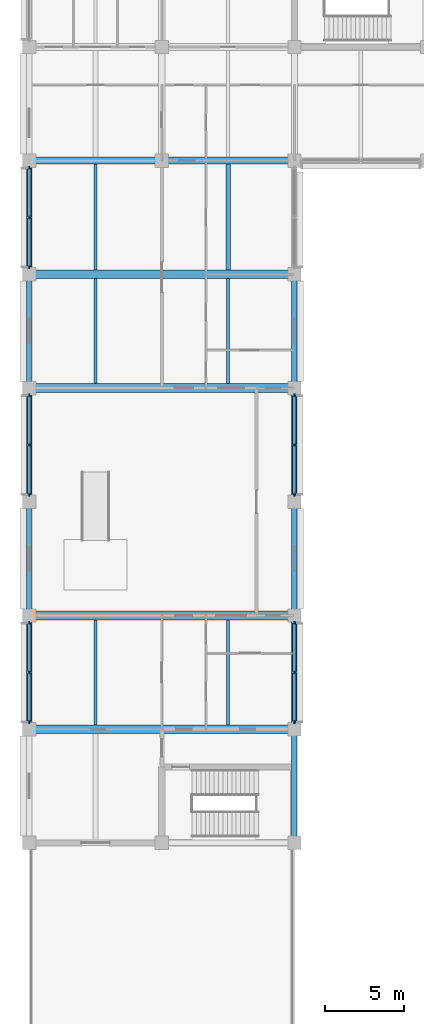
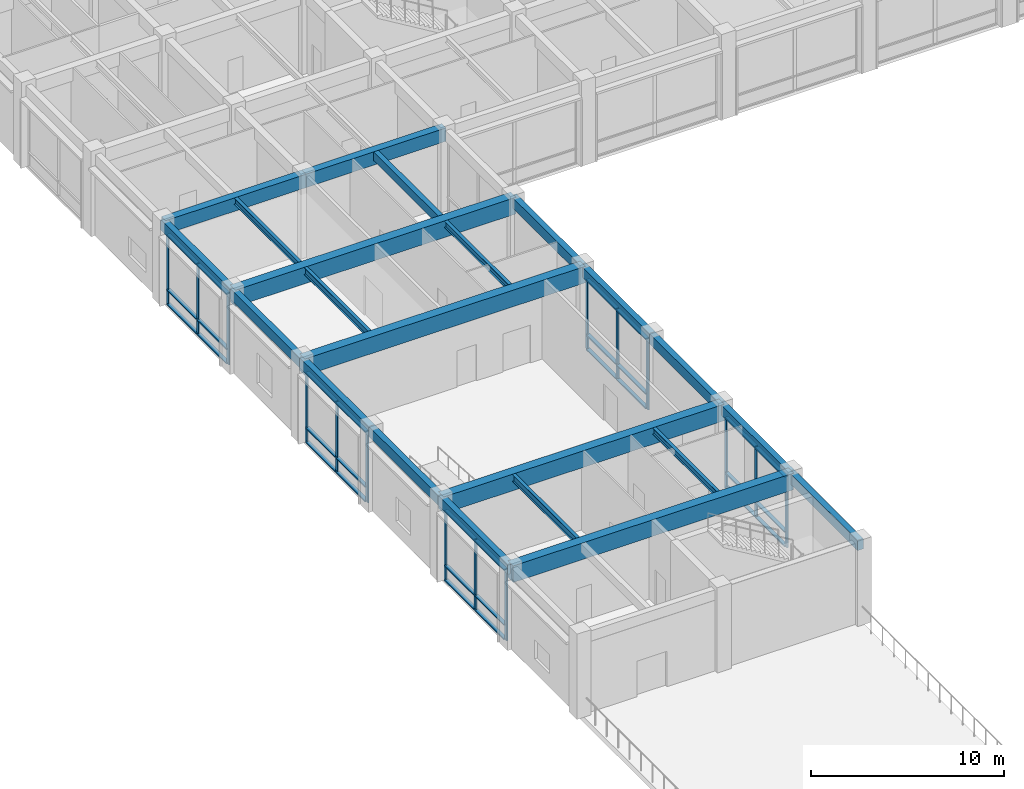
# One storey, part 2 of 51: 45 members, 22 beams, 5 elements without a shape of their own.
"""IFC4 building model written with IfcOpenShell, lengths in metres."""

from ifc_helpers import new_model, si_unit, direction, frame, origin, origin_2d, place, context, subcontext, project, spatial, rectangle, i_section, extrude, material, layer, layer_set, material_profile, profile_set, type_object, element, aggregate, save


model = new_model("IFC4")

# Units and contexts
model_context = context("Model", 3, precision=1e-05, world=origin(), true_north=direction((0.0, 1.0)))
body_context = subcontext(model_context, "Body", "Model", "MODEL_VIEW")
ifc_project = project(units=[si_unit("LENGTHUNIT", "METRE"), si_unit("AREAUNIT", "SQUARE_METRE"), si_unit("VOLUMEUNIT", "CUBIC_METRE"), si_unit("PLANEANGLEUNIT", "RADIAN"), si_unit("MASSUNIT", "GRAM", prefix="KILO")], contexts=[model_context])

# Site, building, storey
site_placement = place(None, origin())
site = spatial("IfcSite", under=ifc_project, at=site_placement, CompositionType="ELEMENT")
building_placement = place(site_placement, origin())
building = spatial("IfcBuilding", under=site, at=building_placement, Name="Chengyuan Square Courthouse", CompositionType="ELEMENT")
storey_placement = place(building_placement, frame((0.0, 0.0, 10.800048828125)))
storey = spatial("IfcBuildingStorey", under=building, at=storey_placement, Name="L03", CompositionType="ELEMENT", Elevation=10.800048828125)

# Beams
ifc_material_1 = material(Name="Concrete C40", Category="concrete")
ifc_material_profile_1 = material_profile(ifc_material_1, rectangle(XDim=0.449951171875, YDim=0.85009765625, at=origin_2d()), Name="RC-BM-450x850")
ifc_profile_set_1 = profile_set([ifc_material_profile_1], Name="Concrete C40")
beam_type_1 = type_object("IfcBeamType", Name="BM-01", PredefinedType="USERDEFINED", material=ifc_profile_set_1)
beam_1_placement = place(storey_placement, frame((0.0, 79.199951171875, 4.695068359375), z_axis=(1.0, 0.0, 0.0), x_axis=(0.0, 1.0, 0.0)))
element("IfcBeam", 1, at=beam_1_placement, inside=storey, type_object=beam_type_1, Name="Girder BM-L03-2524", ObjectType="GIRDER", PredefinedType="USERDEFINED", context=body_context, shape_type="SweptSolid", body=[
    extrude(rectangle(XDim=0.449951171875, YDim=0.85009765625, at=origin_2d()), origin(), (0.0, 0.0, 1.0), 8.39990234375),
])
beam_2_placement = place(storey_placement, frame((8.39990234375, 79.199951171875, 4.695068359375), z_axis=(1.0, 0.0, 0.0), x_axis=(0.0, 1.0, 0.0)))
element("IfcBeam", 2, at=beam_2_placement, inside=storey, type_object=beam_type_1, Name="Girder BM-L03-2525", ObjectType="GIRDER", PredefinedType="USERDEFINED", context=body_context, shape_type="SweptSolid", body=[
    extrude(rectangle(XDim=0.449951171875, YDim=0.85009765625, at=origin_2d()), origin(), (0.0, 0.0, 1.0), 8.400146484375),
])
ifc_material_profile_2 = material_profile(ifc_material_1, rectangle(XDim=0.35009765625, YDim=0.64990234375, at=origin_2d()), Name="RC-BM-350x650")
ifc_profile_set_2 = profile_set([ifc_material_profile_2], Name="Concrete C40")
beam_type_2 = type_object("IfcBeamType", Name="BM-03", PredefinedType="SPANDREL", material=ifc_profile_set_2)
beam_3_placement = place(storey_placement, frame((0.0, 43.199951171875, 4.794921875), z_axis=(0.0, 1.0, 0.0), x_axis=(-1.0, 0.0, 0.0)))
element("IfcBeam", 3, at=beam_3_placement, inside=storey, type_object=beam_type_2, Name="Girder BM-L03-2633", PredefinedType="SPANDREL", context=body_context, shape_type="SweptSolid", body=[
    extrude(rectangle(XDim=0.35009765625, YDim=0.64990234375, at=origin_2d()), origin(), (0.0, 0.0, 1.0), 7.199951171875),
])
beam_4_placement = place(storey_placement, frame((0.0, 50.39990234375, 4.794921875), z_axis=(0.0, 1.0, 0.0), x_axis=(-1.0, 0.0, 0.0)))
element("IfcBeam", 4, at=beam_4_placement, inside=storey, type_object=beam_type_2, Name="Girder BM-L03-2634", PredefinedType="SPANDREL", context=body_context, shape_type="SweptSolid", body=[
    extrude(rectangle(XDim=0.35009765625, YDim=0.64990234375, at=origin_2d()), origin(), (0.0, 0.0, 1.0), 7.2001953125),
])
for number, where, z_axis, x_axis, name in (
    (5, (0.0, 57.60009765625, 4.794921875), (0.0, 1.0, 0.0), (-1.0, 0.0, 0.0), "Girder BM-L03-2635"),
    (6, (0.0, 64.800048828125, 4.794921875), (0.0, 1.0, 0.0), (-1.0, 0.0, 0.0), "Girder BM-L03-2636"),
    (7, (0.0, 72.0, 4.794921875), (0.0, 1.0, 0.0), (-1.0, 0.0, 0.0), "Girder BM-L03-2637"),
    (8, (16.800048828125, 36.0, 4.794921875), (0.0, 1.0, 0.0), (-1.0, 0.0, 0.0), "Girder BM-L03-2646"),
    (9, (16.800048828125, 43.199951171875, 4.794921875), (0.0, 1.0, 0.0), (-1.0, 0.0, 0.0), "Girder BM-L03-2647"),
):
    element("IfcBeam", number, at=place(storey_placement, frame(where, z_axis=z_axis, x_axis=x_axis)), inside=storey, type_object=beam_type_2, Name=name, PredefinedType="SPANDREL", context=body_context, shape_type="SweptSolid", body=[
        extrude(rectangle(XDim=0.35009765625, YDim=0.64990234375, at=origin_2d()), origin(), (0.0, 0.0, 1.0), 7.199951171875),
    ])
beam_5_placement = place(storey_placement, frame((16.800048828125, 50.39990234375, 4.794921875), z_axis=(0.0, 1.0, 0.0), x_axis=(-1.0, 0.0, 0.0)))
element("IfcBeam", 10, at=beam_5_placement, inside=storey, type_object=beam_type_2, Name="Girder BM-L03-2648", PredefinedType="SPANDREL", context=body_context, shape_type="SweptSolid", body=[
    extrude(rectangle(XDim=0.35009765625, YDim=0.64990234375, at=origin_2d()), origin(), (0.0, 0.0, 1.0), 7.2001953125),
])
for number, where, z_axis, x_axis, name in (
    (11, (16.800048828125, 57.60009765625, 4.794921875), (0.0, 1.0, 0.0), (-1.0, 0.0, 0.0), "Girder BM-L03-2649"),
    (12, (16.800048828125, 64.800048828125, 4.794921875), (0.0, 1.0, 0.0), (-1.0, 0.0, 0.0), "Girder BM-L03-2650"),
):
    element("IfcBeam", number, at=place(storey_placement, frame(where, z_axis=z_axis, x_axis=x_axis)), inside=storey, type_object=beam_type_2, Name=name, PredefinedType="SPANDREL", context=body_context, shape_type="SweptSolid", body=[
        extrude(rectangle(XDim=0.35009765625, YDim=0.64990234375, at=origin_2d()), origin(), (0.0, 0.0, 1.0), 7.199951171875),
    ])
ifc_material_profile_3 = material_profile(ifc_material_1, rectangle(XDim=0.300048828125, YDim=0.550048828125, at=origin_2d()), Name="RC-BM-300x550")
ifc_profile_set_3 = profile_set([ifc_material_profile_3], Name="Concrete C40")
beam_type_3 = type_object("IfcBeamType", Name="BM-04", PredefinedType="BEAM", material=ifc_profile_set_3)
beam_6_placement = place(storey_placement, frame((12.60009765625, 72.27490234375, 4.844970703125), z_axis=(0.0, 1.0, 0.0), x_axis=(-1.0, 0.0, 0.0)))
element("IfcBeam", 13, at=beam_6_placement, inside=storey, type_object=beam_type_3, Name="Secondary Floor Beam SBM-L03-2763", PredefinedType="BEAM", context=body_context, shape_type="SweptSolid", body=[
    extrude(rectangle(XDim=0.300048828125, YDim=0.550048828125, at=origin_2d()), origin(), (0.0, 0.0, 1.0), 6.7001953125),
])
ifc_material_2 = material(Name="Steel Q355B", Category="steel")
ifc_material_profile_4 = material_profile(ifc_material_2, i_section(OverallWidth=0.199951171875, OverallDepth=0.449951171875, WebThickness=0.009033203125, FlangeThickness=0.013916015625, at=origin_2d()), Name="HN 450x200x9x14")
ifc_profile_set_4 = profile_set([ifc_material_profile_4], Name="Steel Q355B")
beam_type_4 = type_object("IfcBeamType", Name="BM-06", PredefinedType="BEAM", material=ifc_profile_set_4)
beam_7_placement = place(storey_placement, frame((4.199951171875, 43.47509765625, 4.89501953125), z_axis=(0.0, 1.0, 0.0), x_axis=(-1.0, 0.0, 0.0)))
element("IfcBeam", 14, at=beam_7_placement, inside=storey, type_object=beam_type_4, Name="Secondary Floor Beam SBM-L03-2754", PredefinedType="BEAM", context=body_context, shape_type="SweptSolid", body=[
    extrude(i_section(OverallWidth=0.199951171875, OverallDepth=0.449951171875, WebThickness=0.009033203125, FlangeThickness=0.013916015625, at=origin_2d()), origin(), (0.0, 0.0, 1.0), 6.64990234375),
])
beam_8_placement = place(storey_placement, frame((4.199951171875, 65.074951171875, 4.89501953125), z_axis=(0.0, 1.0, 0.0), x_axis=(-1.0, 0.0, 0.0)))
element("IfcBeam", 15, at=beam_8_placement, inside=storey, type_object=beam_type_4, Name="Secondary Floor Beam SBM-L03-2755", PredefinedType="BEAM", context=body_context, shape_type="SweptSolid", body=[
    extrude(i_section(OverallWidth=0.199951171875, OverallDepth=0.449951171875, WebThickness=0.009033203125, FlangeThickness=0.013916015625, at=origin_2d()), origin(), (0.0, 0.0, 1.0), 6.650146484375),
])
ifc_material_profile_5 = material_profile(ifc_material_2, i_section(OverallWidth=0.199951171875, OverallDepth=0.39990234375, WebThickness=0.008056640625, FlangeThickness=0.012939453125, at=origin_2d()), Name="HN 400x200x8x13")
ifc_profile_set_5 = profile_set([ifc_material_profile_5], Name="Steel Q355B")
beam_type_5 = type_object("IfcBeamType", Name="BM-07", PredefinedType="BEAM", material=ifc_profile_set_5)
beam_9_placement = place(storey_placement, frame((4.199951171875, 72.27490234375, 4.919921875), z_axis=(0.0, 1.0, 0.0), x_axis=(-1.0, 0.0, 0.0)))
element("IfcBeam", 16, at=beam_9_placement, inside=storey, type_object=beam_type_5, Name="Secondary Floor Beam SBM-L03-2756", PredefinedType="BEAM", context=body_context, shape_type="SweptSolid", body=[
    extrude(i_section(OverallWidth=0.199951171875, OverallDepth=0.39990234375, WebThickness=0.008056640625, FlangeThickness=0.012939453125, at=origin_2d()), origin(), (0.0, 0.0, 1.0), 6.7001953125),
])
beam_10_placement = place(storey_placement, frame((12.60009765625, 43.47509765625, 4.919921875), z_axis=(0.0, 1.0, 0.0), x_axis=(-1.0, 0.0, 0.0)))
element("IfcBeam", 17, at=beam_10_placement, inside=storey, type_object=beam_type_5, Name="Secondary Floor Beam SBM-L03-2761", PredefinedType="BEAM", context=body_context, shape_type="SweptSolid", body=[
    extrude(i_section(OverallWidth=0.199951171875, OverallDepth=0.39990234375, WebThickness=0.008056640625, FlangeThickness=0.012939453125, at=origin_2d()), origin(), (0.0, 0.0, 1.0), 6.64990234375),
])
beam_11_placement = place(storey_placement, frame((12.60009765625, 65.074951171875, 4.919921875), z_axis=(0.0, 1.0, 0.0), x_axis=(-1.0, 0.0, 0.0)))
element("IfcBeam", 18, at=beam_11_placement, inside=storey, type_object=beam_type_5, Name="Secondary Floor Beam SBM-L03-2762", PredefinedType="BEAM", context=body_context, shape_type="SweptSolid", body=[
    extrude(i_section(OverallWidth=0.199951171875, OverallDepth=0.39990234375, WebThickness=0.008056640625, FlangeThickness=0.012939453125, at=origin_2d()), origin(), (0.0, 0.0, 1.0), 6.650146484375),
])

# Curtain wall, members
ifc_material_3 = material(Name="Unitised Aluminium and Triple Low-E Glass", Category="aluminium")
ifc_layer = layer(ifc_material_3, 0.219970703125)
ifc_layer_set = layer_set([ifc_layer], Name="Unitised Aluminium and Triple Low-E Glass")
curtain_wall_type = type_object("IfcCurtainWallType", Name="CW-20", PredefinedType="USERDEFINED", material=ifc_layer_set)
curtain_wall_1_placement = place(storey_placement, origin())
curtain_wall_1 = element("IfcCurtainWall", 19, at=curtain_wall_1_placement, inside=storey, type_object=curtain_wall_type, Name="Unitised Curtain Wall CW-L03-089", ObjectType="UNITISED CURTAIN WALL", PredefinedType="USERDEFINED")
ifc_material_4 = material(Name="Aluminium 6063-T6 Frame", Category="aluminium")
ifc_material_profile_6 = material_profile(ifc_material_4, rectangle(XDim=0.080078125, YDim=0.219970703125, at=origin_2d()), Name="CW-MUL-80x220")
ifc_profile_set_6 = profile_set([ifc_material_profile_6], Name="Aluminium 6063-T6 Frame")
member_type_1 = type_object("IfcMemberType", Name="CWM-04", PredefinedType="MULLION", material=ifc_profile_set_6)
member_1_placement = place(storey_placement, frame((0.0, 43.6650390625, 0.0), z_axis=(0.0, 0.0, 1.0), x_axis=(-1.0, 0.0, 0.0)))
member_1 = element("IfcMember", 20, at=member_1_placement, type_object=member_type_1, Name="CW-20 mullion 1", PredefinedType="MULLION", context=body_context, shape_type="SweptSolid", body=[
    extrude(rectangle(XDim=0.080078125, YDim=0.219970703125, at=origin_2d()), origin(), (0.0, 0.0, 1.0), 4.469970703125),
])
member_2_placement = place(storey_placement, frame((0.0, 46.800048828125, 0.0), z_axis=(0.0, 0.0, 1.0), x_axis=(-1.0, 0.0, 0.0)))
member_2 = element("IfcMember", 21, at=member_2_placement, type_object=member_type_1, Name="CW-20 mullion 2", PredefinedType="MULLION", context=body_context, shape_type="SweptSolid", body=[
    extrude(rectangle(XDim=0.080078125, YDim=0.219970703125, at=origin_2d()), origin(), (0.0, 0.0, 1.0), 4.469970703125),
])
member_3_placement = place(storey_placement, frame((0.0, 49.93505859375, 0.0), z_axis=(0.0, 0.0, 1.0), x_axis=(-1.0, 0.0, 0.0)))
member_3 = element("IfcMember", 22, at=member_3_placement, type_object=member_type_1, Name="CW-20 mullion 3", PredefinedType="MULLION", context=body_context, shape_type="SweptSolid", body=[
    extrude(rectangle(XDim=0.080078125, YDim=0.219970703125, at=origin_2d()), origin(), (0.0, 0.0, 1.0), 4.469970703125),
])

curtain_wall_2_placement = place(storey_placement, origin())
curtain_wall_2 = element("IfcCurtainWall", 23, at=curtain_wall_2_placement, inside=storey, type_object=curtain_wall_type, Name="Unitised Curtain Wall CW-L03-090", ObjectType="UNITISED CURTAIN WALL", PredefinedType="USERDEFINED")
member_4_placement = place(storey_placement, frame((0.0, 58.06494140625, 0.0), z_axis=(0.0, 0.0, 1.0), x_axis=(-1.0, 0.0, 0.0)))
member_4 = element("IfcMember", 24, at=member_4_placement, type_object=member_type_1, Name="CW-20 mullion 1", PredefinedType="MULLION", context=body_context, shape_type="SweptSolid", body=[
    extrude(rectangle(XDim=0.080078125, YDim=0.219970703125, at=origin_2d()), origin(), (0.0, 0.0, 1.0), 4.469970703125),
])
member_5_placement = place(storey_placement, frame((0.0, 61.199951171875, 0.0), z_axis=(0.0, 0.0, 1.0), x_axis=(-1.0, 0.0, 0.0)))
member_5 = element("IfcMember", 25, at=member_5_placement, type_object=member_type_1, Name="CW-20 mullion 2", PredefinedType="MULLION", context=body_context, shape_type="SweptSolid", body=[
    extrude(rectangle(XDim=0.080078125, YDim=0.219970703125, at=origin_2d()), origin(), (0.0, 0.0, 1.0), 4.469970703125),
])
member_6_placement = place(storey_placement, frame((0.0, 64.3349609375, 0.0), z_axis=(0.0, 0.0, 1.0), x_axis=(-1.0, 0.0, 0.0)))
member_6 = element("IfcMember", 26, at=member_6_placement, type_object=member_type_1, Name="CW-20 mullion 3", PredefinedType="MULLION", context=body_context, shape_type="SweptSolid", body=[
    extrude(rectangle(XDim=0.080078125, YDim=0.219970703125, at=origin_2d()), origin(), (0.0, 0.0, 1.0), 4.469970703125),
])

curtain_wall_3_placement = place(storey_placement, origin())
curtain_wall_3 = element("IfcCurtainWall", 27, at=curtain_wall_3_placement, inside=storey, type_object=curtain_wall_type, Name="Unitised Curtain Wall CW-L03-091", ObjectType="UNITISED CURTAIN WALL", PredefinedType="USERDEFINED")
member_7_placement = place(storey_placement, frame((0.0, 72.465087890625, 0.0), z_axis=(0.0, 0.0, 1.0), x_axis=(-1.0, 0.0, 0.0)))
member_7 = element("IfcMember", 28, at=member_7_placement, type_object=member_type_1, Name="CW-20 mullion 1", PredefinedType="MULLION", context=body_context, shape_type="SweptSolid", body=[
    extrude(rectangle(XDim=0.080078125, YDim=0.219970703125, at=origin_2d()), origin(), (0.0, 0.0, 1.0), 4.469970703125),
])
member_8_placement = place(storey_placement, frame((0.0, 75.60009765625, 0.0), z_axis=(0.0, 0.0, 1.0), x_axis=(-1.0, 0.0, 0.0)))
member_8 = element("IfcMember", 29, at=member_8_placement, type_object=member_type_1, Name="CW-20 mullion 2", PredefinedType="MULLION", context=body_context, shape_type="SweptSolid", body=[
    extrude(rectangle(XDim=0.080078125, YDim=0.219970703125, at=origin_2d()), origin(), (0.0, 0.0, 1.0), 4.469970703125),
])
member_9_placement = place(storey_placement, frame((0.0, 78.735107421875, 0.0), z_axis=(0.0, 0.0, 1.0), x_axis=(-1.0, 0.0, 0.0)))
member_9 = element("IfcMember", 30, at=member_9_placement, type_object=member_type_1, Name="CW-20 mullion 3", PredefinedType="MULLION", context=body_context, shape_type="SweptSolid", body=[
    extrude(rectangle(XDim=0.080078125, YDim=0.219970703125, at=origin_2d()), origin(), (0.0, 0.0, 1.0), 4.469970703125),
])

curtain_wall_4_placement = place(storey_placement, origin())
curtain_wall_4 = element("IfcCurtainWall", 31, at=curtain_wall_4_placement, inside=storey, type_object=curtain_wall_type, Name="Unitised Curtain Wall CW-L03-094", ObjectType="UNITISED CURTAIN WALL", PredefinedType="USERDEFINED")
member_10_placement = place(storey_placement, frame((16.800048828125, 43.6650390625, 0.0), z_axis=(0.0, 0.0, 1.0), x_axis=(-1.0, 0.0, 0.0)))
member_10 = element("IfcMember", 32, at=member_10_placement, type_object=member_type_1, Name="CW-20 mullion 1", PredefinedType="MULLION", context=body_context, shape_type="SweptSolid", body=[
    extrude(rectangle(XDim=0.080078125, YDim=0.219970703125, at=origin_2d()), origin(), (0.0, 0.0, 1.0), 4.469970703125),
])
member_11_placement = place(storey_placement, frame((16.800048828125, 46.800048828125, 0.0), z_axis=(0.0, 0.0, 1.0), x_axis=(-1.0, 0.0, 0.0)))
member_11 = element("IfcMember", 33, at=member_11_placement, type_object=member_type_1, Name="CW-20 mullion 2", PredefinedType="MULLION", context=body_context, shape_type="SweptSolid", body=[
    extrude(rectangle(XDim=0.080078125, YDim=0.219970703125, at=origin_2d()), origin(), (0.0, 0.0, 1.0), 4.469970703125),
])
member_12_placement = place(storey_placement, frame((16.800048828125, 49.93505859375, 0.0), z_axis=(0.0, 0.0, 1.0), x_axis=(-1.0, 0.0, 0.0)))
member_12 = element("IfcMember", 34, at=member_12_placement, type_object=member_type_1, Name="CW-20 mullion 3", PredefinedType="MULLION", context=body_context, shape_type="SweptSolid", body=[
    extrude(rectangle(XDim=0.080078125, YDim=0.219970703125, at=origin_2d()), origin(), (0.0, 0.0, 1.0), 4.469970703125),
])

curtain_wall_5_placement = place(storey_placement, origin())
curtain_wall_5 = element("IfcCurtainWall", 35, at=curtain_wall_5_placement, inside=storey, type_object=curtain_wall_type, Name="Unitised Curtain Wall CW-L03-095", ObjectType="UNITISED CURTAIN WALL", PredefinedType="USERDEFINED")
member_13_placement = place(storey_placement, frame((16.800048828125, 58.06494140625, 0.0), z_axis=(0.0, 0.0, 1.0), x_axis=(-1.0, 0.0, 0.0)))
member_13 = element("IfcMember", 36, at=member_13_placement, type_object=member_type_1, Name="CW-20 mullion 1", PredefinedType="MULLION", context=body_context, shape_type="SweptSolid", body=[
    extrude(rectangle(XDim=0.080078125, YDim=0.219970703125, at=origin_2d()), origin(), (0.0, 0.0, 1.0), 4.469970703125),
])
member_14_placement = place(storey_placement, frame((16.800048828125, 61.199951171875, 0.0), z_axis=(0.0, 0.0, 1.0), x_axis=(-1.0, 0.0, 0.0)))
member_14 = element("IfcMember", 37, at=member_14_placement, type_object=member_type_1, Name="CW-20 mullion 2", PredefinedType="MULLION", context=body_context, shape_type="SweptSolid", body=[
    extrude(rectangle(XDim=0.080078125, YDim=0.219970703125, at=origin_2d()), origin(), (0.0, 0.0, 1.0), 4.469970703125),
])
member_15_placement = place(storey_placement, frame((16.800048828125, 64.3349609375, 0.0), z_axis=(0.0, 0.0, 1.0), x_axis=(-1.0, 0.0, 0.0)))
member_15 = element("IfcMember", 38, at=member_15_placement, type_object=member_type_1, Name="CW-20 mullion 3", PredefinedType="MULLION", context=body_context, shape_type="SweptSolid", body=[
    extrude(rectangle(XDim=0.080078125, YDim=0.219970703125, at=origin_2d()), origin(), (0.0, 0.0, 1.0), 4.469970703125),
])

# Member
ifc_material_profile_7 = material_profile(ifc_material_4, rectangle(XDim=0.219970703125, YDim=0.080078125, at=origin_2d()), Name="CW-TRN-80x180")
ifc_profile_set_7 = profile_set([ifc_material_profile_7], Name="Aluminium 6063-T6 Frame")
member_type_2 = type_object("IfcMemberType", Name="CWT-04", PredefinedType="USERDEFINED", material=ifc_profile_set_7)
member_16_placement = place(storey_placement, frame((0.0, 43.705078125, 0.0400390625), z_axis=(0.0, 1.0, 0.0), x_axis=(-1.0, 0.0, 0.0)))
member_16 = element("IfcMember", 39, at=member_16_placement, type_object=member_type_2, Name="CW-20 transom 1.1", ObjectType="TRANSOM", PredefinedType="USERDEFINED", context=body_context, shape_type="SweptSolid", body=[
    extrude(rectangle(XDim=0.219970703125, YDim=0.080078125, at=origin_2d()), origin(), (0.0, 0.0, 1.0), 3.054931640625),
])

member_17_placement = place(storey_placement, frame((0.0, 43.705078125, 0.949951171875), z_axis=(0.0, 1.0, 0.0), x_axis=(-1.0, 0.0, 0.0)))
member_17 = element("IfcMember", 40, at=member_17_placement, type_object=member_type_2, Name="CW-20 transom 1.2", ObjectType="TRANSOM", PredefinedType="USERDEFINED", context=body_context, shape_type="SweptSolid", body=[
    extrude(rectangle(XDim=0.219970703125, YDim=0.080078125, at=origin_2d()), origin(), (0.0, 0.0, 1.0), 3.054931640625),
])

member_18_placement = place(storey_placement, frame((0.0, 43.705078125, 4.429931640625), z_axis=(0.0, 1.0, 0.0), x_axis=(-1.0, 0.0, 0.0)))
member_18 = element("IfcMember", 41, at=member_18_placement, type_object=member_type_2, Name="CW-20 transom 1.3", ObjectType="TRANSOM", PredefinedType="USERDEFINED", context=body_context, shape_type="SweptSolid", body=[
    extrude(rectangle(XDim=0.219970703125, YDim=0.080078125, at=origin_2d()), origin(), (0.0, 0.0, 1.0), 3.054931640625),
])

member_19_placement = place(storey_placement, frame((0.0, 46.840087890625, 0.0400390625), z_axis=(0.0, 1.0, 0.0), x_axis=(-1.0, 0.0, 0.0)))
member_19 = element("IfcMember", 42, at=member_19_placement, type_object=member_type_2, Name="CW-20 transom 2.1", ObjectType="TRANSOM", PredefinedType="USERDEFINED", context=body_context, shape_type="SweptSolid", body=[
    extrude(rectangle(XDim=0.219970703125, YDim=0.080078125, at=origin_2d()), origin(), (0.0, 0.0, 1.0), 3.054931640625),
])

member_20_placement = place(storey_placement, frame((0.0, 46.840087890625, 0.949951171875), z_axis=(0.0, 1.0, 0.0), x_axis=(-1.0, 0.0, 0.0)))
member_20 = element("IfcMember", 43, at=member_20_placement, type_object=member_type_2, Name="CW-20 transom 2.2", ObjectType="TRANSOM", PredefinedType="USERDEFINED", context=body_context, shape_type="SweptSolid", body=[
    extrude(rectangle(XDim=0.219970703125, YDim=0.080078125, at=origin_2d()), origin(), (0.0, 0.0, 1.0), 3.054931640625),
])

member_21_placement = place(storey_placement, frame((0.0, 46.840087890625, 4.429931640625), z_axis=(0.0, 1.0, 0.0), x_axis=(-1.0, 0.0, 0.0)))
member_21 = element("IfcMember", 44, at=member_21_placement, type_object=member_type_2, Name="CW-20 transom 2.3", ObjectType="TRANSOM", PredefinedType="USERDEFINED", context=body_context, shape_type="SweptSolid", body=[
    extrude(rectangle(XDim=0.219970703125, YDim=0.080078125, at=origin_2d()), origin(), (0.0, 0.0, 1.0), 3.054931640625),
])

aggregate(curtain_wall_1, [member_1, member_2, member_3, member_16, member_17, member_18, member_19, member_20, member_21])

member_22_placement = place(storey_placement, frame((0.0, 58.10498046875, 0.0400390625), z_axis=(0.0, 1.0, 0.0), x_axis=(-1.0, 0.0, 0.0)))
member_22 = element("IfcMember", 45, at=member_22_placement, type_object=member_type_2, Name="CW-20 transom 1.1", ObjectType="TRANSOM", PredefinedType="USERDEFINED", context=body_context, shape_type="SweptSolid", body=[
    extrude(rectangle(XDim=0.219970703125, YDim=0.080078125, at=origin_2d()), origin(), (0.0, 0.0, 1.0), 3.054931640625),
])

member_23_placement = place(storey_placement, frame((0.0, 58.10498046875, 0.949951171875), z_axis=(0.0, 1.0, 0.0), x_axis=(-1.0, 0.0, 0.0)))
member_23 = element("IfcMember", 46, at=member_23_placement, type_object=member_type_2, Name="CW-20 transom 1.2", ObjectType="TRANSOM", PredefinedType="USERDEFINED", context=body_context, shape_type="SweptSolid", body=[
    extrude(rectangle(XDim=0.219970703125, YDim=0.080078125, at=origin_2d()), origin(), (0.0, 0.0, 1.0), 3.054931640625),
])

member_24_placement = place(storey_placement, frame((0.0, 58.10498046875, 4.429931640625), z_axis=(0.0, 1.0, 0.0), x_axis=(-1.0, 0.0, 0.0)))
member_24 = element("IfcMember", 47, at=member_24_placement, type_object=member_type_2, Name="CW-20 transom 1.3", ObjectType="TRANSOM", PredefinedType="USERDEFINED", context=body_context, shape_type="SweptSolid", body=[
    extrude(rectangle(XDim=0.219970703125, YDim=0.080078125, at=origin_2d()), origin(), (0.0, 0.0, 1.0), 3.054931640625),
])

member_25_placement = place(storey_placement, frame((0.0, 61.239990234375, 0.0400390625), z_axis=(0.0, 1.0, 0.0), x_axis=(-1.0, 0.0, 0.0)))
member_25 = element("IfcMember", 48, at=member_25_placement, type_object=member_type_2, Name="CW-20 transom 2.1", ObjectType="TRANSOM", PredefinedType="USERDEFINED", context=body_context, shape_type="SweptSolid", body=[
    extrude(rectangle(XDim=0.219970703125, YDim=0.080078125, at=origin_2d()), origin(), (0.0, 0.0, 1.0), 3.054931640625),
])

member_26_placement = place(storey_placement, frame((0.0, 61.239990234375, 0.949951171875), z_axis=(0.0, 1.0, 0.0), x_axis=(-1.0, 0.0, 0.0)))
member_26 = element("IfcMember", 49, at=member_26_placement, type_object=member_type_2, Name="CW-20 transom 2.2", ObjectType="TRANSOM", PredefinedType="USERDEFINED", context=body_context, shape_type="SweptSolid", body=[
    extrude(rectangle(XDim=0.219970703125, YDim=0.080078125, at=origin_2d()), origin(), (0.0, 0.0, 1.0), 3.054931640625),
])

member_27_placement = place(storey_placement, frame((0.0, 61.239990234375, 4.429931640625), z_axis=(0.0, 1.0, 0.0), x_axis=(-1.0, 0.0, 0.0)))
member_27 = element("IfcMember", 50, at=member_27_placement, type_object=member_type_2, Name="CW-20 transom 2.3", ObjectType="TRANSOM", PredefinedType="USERDEFINED", context=body_context, shape_type="SweptSolid", body=[
    extrude(rectangle(XDim=0.219970703125, YDim=0.080078125, at=origin_2d()), origin(), (0.0, 0.0, 1.0), 3.054931640625),
])

aggregate(curtain_wall_2, [member_4, member_5, member_6, member_22, member_23, member_24, member_25, member_26, member_27])

member_28_placement = place(storey_placement, frame((0.0, 72.5048828125, 0.0400390625), z_axis=(0.0, 1.0, 0.0), x_axis=(-1.0, 0.0, 0.0)))
member_28 = element("IfcMember", 51, at=member_28_placement, type_object=member_type_2, Name="CW-20 transom 1.1", ObjectType="TRANSOM", PredefinedType="USERDEFINED", context=body_context, shape_type="SweptSolid", body=[
    extrude(rectangle(XDim=0.219970703125, YDim=0.080078125, at=origin_2d()), origin(), (0.0, 0.0, 1.0), 3.05517578125),
])

member_29_placement = place(storey_placement, frame((0.0, 72.5048828125, 0.949951171875), z_axis=(0.0, 1.0, 0.0), x_axis=(-1.0, 0.0, 0.0)))
member_29 = element("IfcMember", 52, at=member_29_placement, type_object=member_type_2, Name="CW-20 transom 1.2", ObjectType="TRANSOM", PredefinedType="USERDEFINED", context=body_context, shape_type="SweptSolid", body=[
    extrude(rectangle(XDim=0.219970703125, YDim=0.080078125, at=origin_2d()), origin(), (0.0, 0.0, 1.0), 3.05517578125),
])

member_30_placement = place(storey_placement, frame((0.0, 72.5048828125, 4.429931640625), z_axis=(0.0, 1.0, 0.0), x_axis=(-1.0, 0.0, 0.0)))
member_30 = element("IfcMember", 53, at=member_30_placement, type_object=member_type_2, Name="CW-20 transom 1.3", ObjectType="TRANSOM", PredefinedType="USERDEFINED", context=body_context, shape_type="SweptSolid", body=[
    extrude(rectangle(XDim=0.219970703125, YDim=0.080078125, at=origin_2d()), origin(), (0.0, 0.0, 1.0), 3.05517578125),
])

member_31_placement = place(storey_placement, frame((0.0, 75.639892578125, 0.0400390625), z_axis=(0.0, 1.0, 0.0), x_axis=(-1.0, 0.0, 0.0)))
member_31 = element("IfcMember", 54, at=member_31_placement, type_object=member_type_2, Name="CW-20 transom 2.1", ObjectType="TRANSOM", PredefinedType="USERDEFINED", context=body_context, shape_type="SweptSolid", body=[
    extrude(rectangle(XDim=0.219970703125, YDim=0.080078125, at=origin_2d()), origin(), (0.0, 0.0, 1.0), 3.05517578125),
])

member_32_placement = place(storey_placement, frame((0.0, 75.639892578125, 0.949951171875), z_axis=(0.0, 1.0, 0.0), x_axis=(-1.0, 0.0, 0.0)))
member_32 = element("IfcMember", 55, at=member_32_placement, type_object=member_type_2, Name="CW-20 transom 2.2", ObjectType="TRANSOM", PredefinedType="USERDEFINED", context=body_context, shape_type="SweptSolid", body=[
    extrude(rectangle(XDim=0.219970703125, YDim=0.080078125, at=origin_2d()), origin(), (0.0, 0.0, 1.0), 3.05517578125),
])

member_33_placement = place(storey_placement, frame((0.0, 75.639892578125, 4.429931640625), z_axis=(0.0, 1.0, 0.0), x_axis=(-1.0, 0.0, 0.0)))
member_33 = element("IfcMember", 56, at=member_33_placement, type_object=member_type_2, Name="CW-20 transom 2.3", ObjectType="TRANSOM", PredefinedType="USERDEFINED", context=body_context, shape_type="SweptSolid", body=[
    extrude(rectangle(XDim=0.219970703125, YDim=0.080078125, at=origin_2d()), origin(), (0.0, 0.0, 1.0), 3.05517578125),
])

aggregate(curtain_wall_3, [member_7, member_8, member_9, member_28, member_29, member_30, member_31, member_32, member_33])

member_34_placement = place(storey_placement, frame((16.800048828125, 43.705078125, 0.0400390625), z_axis=(0.0, 1.0, 0.0), x_axis=(-1.0, 0.0, 0.0)))
member_34 = element("IfcMember", 57, at=member_34_placement, type_object=member_type_2, Name="CW-20 transom 1.1", ObjectType="TRANSOM", PredefinedType="USERDEFINED", context=body_context, shape_type="SweptSolid", body=[
    extrude(rectangle(XDim=0.219970703125, YDim=0.080078125, at=origin_2d()), origin(), (0.0, 0.0, 1.0), 3.054931640625),
])

member_35_placement = place(storey_placement, frame((16.800048828125, 43.705078125, 0.949951171875), z_axis=(0.0, 1.0, 0.0), x_axis=(-1.0, 0.0, 0.0)))
member_35 = element("IfcMember", 58, at=member_35_placement, type_object=member_type_2, Name="CW-20 transom 1.2", ObjectType="TRANSOM", PredefinedType="USERDEFINED", context=body_context, shape_type="SweptSolid", body=[
    extrude(rectangle(XDim=0.219970703125, YDim=0.080078125, at=origin_2d()), origin(), (0.0, 0.0, 1.0), 3.054931640625),
])

member_36_placement = place(storey_placement, frame((16.800048828125, 43.705078125, 4.429931640625), z_axis=(0.0, 1.0, 0.0), x_axis=(-1.0, 0.0, 0.0)))
member_36 = element("IfcMember", 59, at=member_36_placement, type_object=member_type_2, Name="CW-20 transom 1.3", ObjectType="TRANSOM", PredefinedType="USERDEFINED", context=body_context, shape_type="SweptSolid", body=[
    extrude(rectangle(XDim=0.219970703125, YDim=0.080078125, at=origin_2d()), origin(), (0.0, 0.0, 1.0), 3.054931640625),
])

member_37_placement = place(storey_placement, frame((16.800048828125, 46.840087890625, 0.0400390625), z_axis=(0.0, 1.0, 0.0), x_axis=(-1.0, 0.0, 0.0)))
member_37 = element("IfcMember", 60, at=member_37_placement, type_object=member_type_2, Name="CW-20 transom 2.1", ObjectType="TRANSOM", PredefinedType="USERDEFINED", context=body_context, shape_type="SweptSolid", body=[
    extrude(rectangle(XDim=0.219970703125, YDim=0.080078125, at=origin_2d()), origin(), (0.0, 0.0, 1.0), 3.054931640625),
])

member_38_placement = place(storey_placement, frame((16.800048828125, 46.840087890625, 0.949951171875), z_axis=(0.0, 1.0, 0.0), x_axis=(-1.0, 0.0, 0.0)))
member_38 = element("IfcMember", 61, at=member_38_placement, type_object=member_type_2, Name="CW-20 transom 2.2", ObjectType="TRANSOM", PredefinedType="USERDEFINED", context=body_context, shape_type="SweptSolid", body=[
    extrude(rectangle(XDim=0.219970703125, YDim=0.080078125, at=origin_2d()), origin(), (0.0, 0.0, 1.0), 3.054931640625),
])

member_39_placement = place(storey_placement, frame((16.800048828125, 46.840087890625, 4.429931640625), z_axis=(0.0, 1.0, 0.0), x_axis=(-1.0, 0.0, 0.0)))
member_39 = element("IfcMember", 62, at=member_39_placement, type_object=member_type_2, Name="CW-20 transom 2.3", ObjectType="TRANSOM", PredefinedType="USERDEFINED", context=body_context, shape_type="SweptSolid", body=[
    extrude(rectangle(XDim=0.219970703125, YDim=0.080078125, at=origin_2d()), origin(), (0.0, 0.0, 1.0), 3.054931640625),
])

aggregate(curtain_wall_4, [member_10, member_11, member_12, member_34, member_35, member_36, member_37, member_38, member_39])

member_40_placement = place(storey_placement, frame((16.800048828125, 58.10498046875, 0.0400390625), z_axis=(0.0, 1.0, 0.0), x_axis=(-1.0, 0.0, 0.0)))
member_40 = element("IfcMember", 63, at=member_40_placement, type_object=member_type_2, Name="CW-20 transom 1.1", ObjectType="TRANSOM", PredefinedType="USERDEFINED", context=body_context, shape_type="SweptSolid", body=[
    extrude(rectangle(XDim=0.219970703125, YDim=0.080078125, at=origin_2d()), origin(), (0.0, 0.0, 1.0), 3.054931640625),
])

member_41_placement = place(storey_placement, frame((16.800048828125, 58.10498046875, 0.949951171875), z_axis=(0.0, 1.0, 0.0), x_axis=(-1.0, 0.0, 0.0)))
member_41 = element("IfcMember", 64, at=member_41_placement, type_object=member_type_2, Name="CW-20 transom 1.2", ObjectType="TRANSOM", PredefinedType="USERDEFINED", context=body_context, shape_type="SweptSolid", body=[
    extrude(rectangle(XDim=0.219970703125, YDim=0.080078125, at=origin_2d()), origin(), (0.0, 0.0, 1.0), 3.054931640625),
])

member_42_placement = place(storey_placement, frame((16.800048828125, 58.10498046875, 4.429931640625), z_axis=(0.0, 1.0, 0.0), x_axis=(-1.0, 0.0, 0.0)))
member_42 = element("IfcMember", 65, at=member_42_placement, type_object=member_type_2, Name="CW-20 transom 1.3", ObjectType="TRANSOM", PredefinedType="USERDEFINED", context=body_context, shape_type="SweptSolid", body=[
    extrude(rectangle(XDim=0.219970703125, YDim=0.080078125, at=origin_2d()), origin(), (0.0, 0.0, 1.0), 3.054931640625),
])

member_43_placement = place(storey_placement, frame((16.800048828125, 61.239990234375, 0.0400390625), z_axis=(0.0, 1.0, 0.0), x_axis=(-1.0, 0.0, 0.0)))
member_43 = element("IfcMember", 66, at=member_43_placement, type_object=member_type_2, Name="CW-20 transom 2.1", ObjectType="TRANSOM", PredefinedType="USERDEFINED", context=body_context, shape_type="SweptSolid", body=[
    extrude(rectangle(XDim=0.219970703125, YDim=0.080078125, at=origin_2d()), origin(), (0.0, 0.0, 1.0), 3.054931640625),
])

member_44_placement = place(storey_placement, frame((16.800048828125, 61.239990234375, 0.949951171875), z_axis=(0.0, 1.0, 0.0), x_axis=(-1.0, 0.0, 0.0)))
member_44 = element("IfcMember", 67, at=member_44_placement, type_object=member_type_2, Name="CW-20 transom 2.2", ObjectType="TRANSOM", PredefinedType="USERDEFINED", context=body_context, shape_type="SweptSolid", body=[
    extrude(rectangle(XDim=0.219970703125, YDim=0.080078125, at=origin_2d()), origin(), (0.0, 0.0, 1.0), 3.054931640625),
])

member_45_placement = place(storey_placement, frame((16.800048828125, 61.239990234375, 4.429931640625), z_axis=(0.0, 1.0, 0.0), x_axis=(-1.0, 0.0, 0.0)))
member_45 = element("IfcMember", 68, at=member_45_placement, type_object=member_type_2, Name="CW-20 transom 2.3", ObjectType="TRANSOM", PredefinedType="USERDEFINED", context=body_context, shape_type="SweptSolid", body=[
    extrude(rectangle(XDim=0.219970703125, YDim=0.080078125, at=origin_2d()), origin(), (0.0, 0.0, 1.0), 3.054931640625),
])

aggregate(curtain_wall_5, [member_13, member_14, member_15, member_40, member_41, member_42, member_43, member_44, member_45])

# Beams
ifc_material_5 = material(Name="Post-tensioned Concrete C50", Category="concrete")
ifc_material_profile_8 = material_profile(ifc_material_5, rectangle(XDim=0.550048828125, YDim=1.050048828125, at=origin_2d()), Name="PT-BM-550x1050")
ifc_profile_set_8 = profile_set([ifc_material_profile_8], Name="Post-tensioned Concrete C50")
beam_type_6 = type_object("IfcBeamType", Name="PT-01", PredefinedType="USERDEFINED", material=ifc_profile_set_8)
for number, where, z_axis, x_axis, name in (
    (69, (0.0, 43.199951171875, 4.594970703125), (1.0, 0.0, 0.0), (0.0, 1.0, 0.0), "Girder BM-L03-2512"),
    (70, (0.0, 50.39990234375, 4.594970703125), (1.0, 0.0, 0.0), (0.0, 1.0, 0.0), "Girder BM-L03-2514"),
    (71, (0.0, 64.800048828125, 4.594970703125), (1.0, 0.0, 0.0), (0.0, 1.0, 0.0), "Girder BM-L03-2516"),
    (72, (0.0, 72.0, 4.594970703125), (1.0, 0.0, 0.0), (0.0, 1.0, 0.0), "Girder BM-L03-2522"),
):
    element("IfcBeam", number, at=place(storey_placement, frame(where, z_axis=z_axis, x_axis=x_axis)), inside=storey, type_object=beam_type_6, Name=name, ObjectType="GIRDER", PredefinedType="USERDEFINED", context=body_context, shape_type="SweptSolid", body=[
        extrude(rectangle(XDim=0.550048828125, YDim=1.050048828125, at=origin_2d()), origin(), (0.0, 0.0, 1.0), 16.800048828125),
    ])

save(model, "model.ifc")
